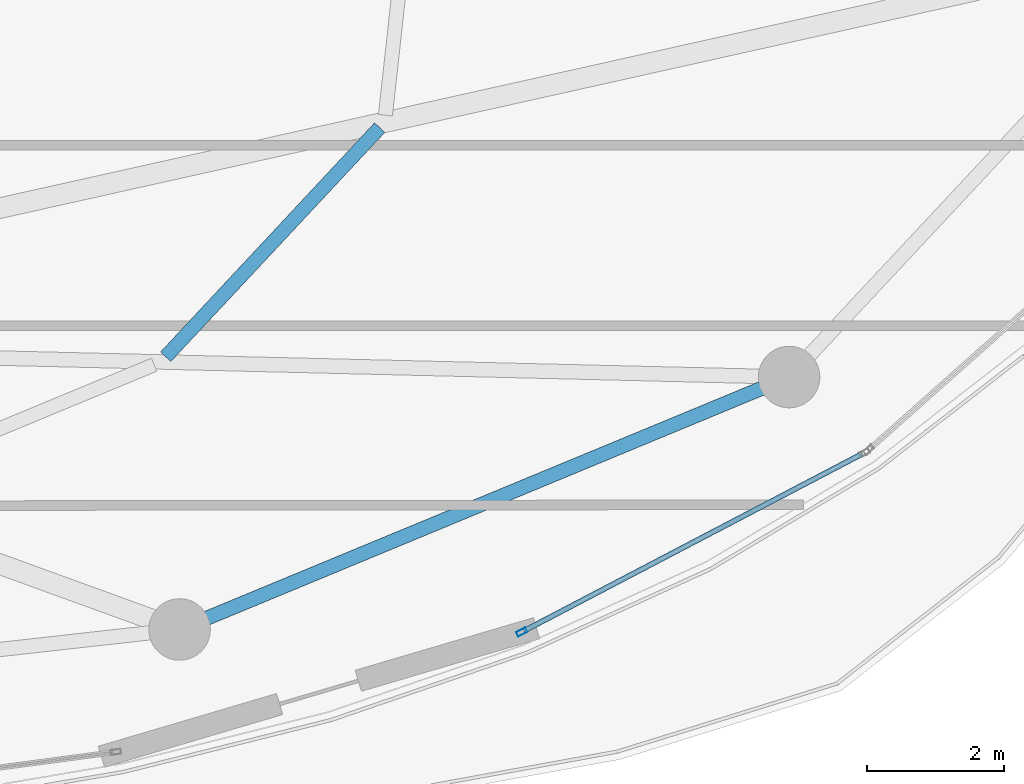
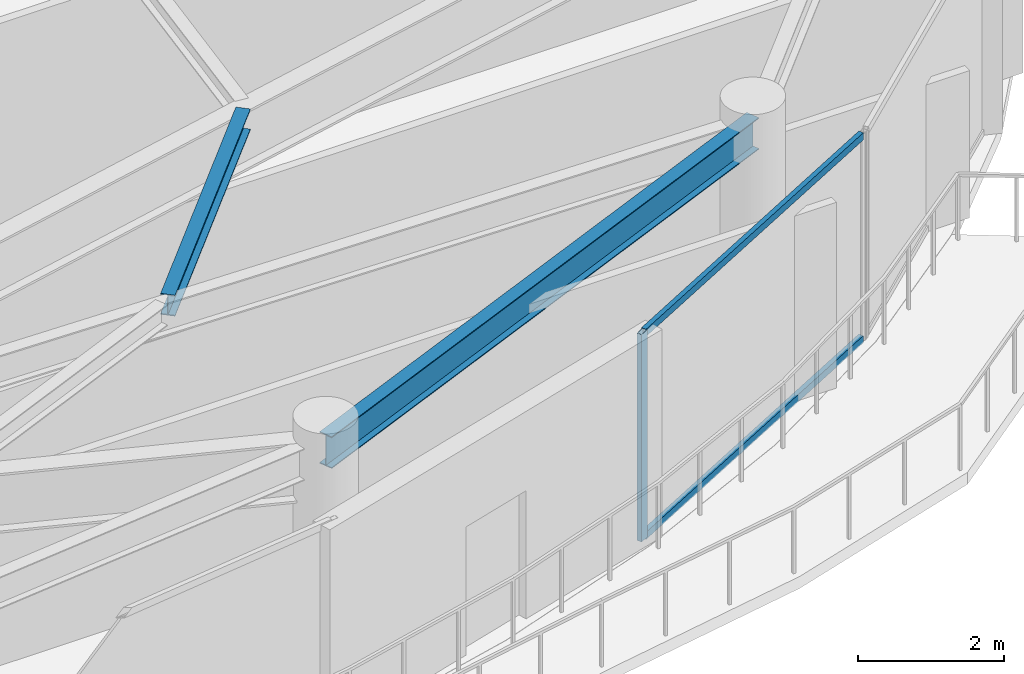
# One storey, part 13 of 29: 3 members, 2 beams, 1 element without a shape of its own.
"""IFC4 building model written with IfcOpenShell, lengths in metres."""

from ifc_helpers import new_model, si_unit, direction, frame, origin, origin_2d, place, context, subcontext, project, spatial, hollow_rectangle, i_section, extrude, material, layer, layer_set, material_profile, profile_set, type_object, element, aggregate, save


model = new_model("IFC4")

# Units and contexts
model_context = context("Model", 3, precision=1e-05, world=origin(), true_north=direction((0.0, 1.0)))
body_context = subcontext(model_context, "Body", "Model", "MODEL_VIEW")
ifc_project = project(units=[si_unit("LENGTHUNIT", "METRE"), si_unit("AREAUNIT", "SQUARE_METRE"), si_unit("VOLUMEUNIT", "CUBIC_METRE"), si_unit("PLANEANGLEUNIT", "RADIAN"), si_unit("MASSUNIT", "GRAM", prefix="KILO")], contexts=[model_context])

# Site, building, storey
site_placement = place(None, origin())
site = spatial("IfcSite", under=ifc_project, at=site_placement, CompositionType="ELEMENT")
building_placement = place(site_placement, origin())
building = spatial("IfcBuilding", under=site, at=building_placement, Name="Kazevale Care Tower and Concert Hall", CompositionType="ELEMENT")
storey_placement = place(building_placement, frame((0.0, 0.0, 289.0)))
storey = spatial("IfcBuildingStorey", under=building, at=storey_placement, Name="L76", CompositionType="ELEMENT", Elevation=289.0)

# Curtain wall, members
ifc_material_1 = material(Name="Aluminium 6063-T6 and Low-E Glass", Category="aluminium")
ifc_layer = layer(ifc_material_1, 0.179931640625)
ifc_layer_set = layer_set([ifc_layer], Name="Aluminium 6063-T6 and Low-E Glass")
curtain_wall_type = type_object("IfcCurtainWallType", Name="Sheltered Concave Balcony Curtain Wall CW-5", PredefinedType="NOTDEFINED", material=ifc_layer_set)
curtain_wall_placement = place(storey_placement, origin())
curtain_wall = element("IfcCurtainWall", 1, at=curtain_wall_placement, inside=storey, type_object=curtain_wall_type, Name="cw:L76:f03", PredefinedType="NOTDEFINED")
ifc_material_2 = material(Name="Aluminium 6063-T6", Category="aluminium")
ifc_material_profile_1 = material_profile(ifc_material_2, hollow_rectangle(XDim=0.074951171875, YDim=0.14990234375, WallThickness=0.00390625, at=origin_2d()), Name="ALU75x150x4")
ifc_profile_set_1 = profile_set([ifc_material_profile_1], Name="Aluminium 6063-T6")
member_type_1 = type_object("IfcMemberType", Name="CW-5 Mullion ALU75x150x4", PredefinedType="MULLION", material=ifc_profile_set_1)
member_1_placement = place(storey_placement, frame((60.502197265625, 19.38232421875, 0.0), z_axis=(0.0, 0.0, 1.0), x_axis=(0.463680915912, -0.886002261972, 0.0)))
member_1 = element("IfcMember", 2, at=member_1_placement, type_object=member_type_1, Name="CW-5 mullion 2", PredefinedType="MULLION", context=body_context, shape_type="SweptSolid", body=[
    extrude(hollow_rectangle(XDim=0.074951171875, YDim=0.14990234375, WallThickness=0.00390625, at=origin_2d()), origin(), (0.0, 0.0, 1.0), 3.47998046875),
])
ifc_material_profile_2 = material_profile(ifc_material_2, hollow_rectangle(XDim=0.074951171875, YDim=0.1201171875, WallThickness=0.00390625, at=origin_2d()), Name="ALU75x120x4")
ifc_profile_set_2 = profile_set([ifc_material_profile_2], Name="Aluminium 6063-T6")
member_type_2 = type_object("IfcMemberType", Name="CW-5 Transom ALU75x120x4", PredefinedType="USERDEFINED", material=ifc_profile_set_2)
member_2_placement = place(storey_placement, frame((65.4794921875, 21.9873046875, 0.03759765625), z_axis=(-0.885987336027, -0.463709435314, 0.0), x_axis=(0.463709435314, -0.885987336027, 0.0)))
member_2 = element("IfcMember", 3, at=member_2_placement, type_object=member_type_2, Name="CW-5 transom 1.1", ObjectType="TRANSOM", PredefinedType="USERDEFINED", context=body_context, shape_type="SweptSolid", body=[
    extrude(hollow_rectangle(XDim=0.074951171875, YDim=0.1201171875, WallThickness=0.00390625, at=origin_2d()), origin(), (0.0, 0.0, 1.0), 5.580322265625),
])
member_3_placement = place(storey_placement, frame((65.4794921875, 21.9873046875, 3.4423828125), z_axis=(-0.885987336027, -0.463709435314, 0.0), x_axis=(0.463709435314, -0.885987336027, 0.0)))
member_3 = element("IfcMember", 4, at=member_3_placement, type_object=member_type_2, Name="CW-5 transom 1.2", ObjectType="TRANSOM", PredefinedType="USERDEFINED", context=body_context, shape_type="SweptSolid", body=[
    extrude(hollow_rectangle(XDim=0.074951171875, YDim=0.1201171875, WallThickness=0.00390625, at=origin_2d()), origin(), (0.0, 0.0, 1.0), 5.580322265625),
])
aggregate(curtain_wall, [member_1, member_2, member_3])

# Beams
ifc_material_3 = material(Name="Steel ASTM A572 Gr 50", Category="steel")
ifc_material_profile_3 = material_profile(ifc_material_3, i_section(OverallWidth=0.205078125, OverallDepth=0.35400390625, WebThickness=0.009521484375, FlangeThickness=0.016845703125, at=origin_2d()), Name="W360x79")
ifc_profile_set_3 = profile_set([ifc_material_profile_3], Name="Steel ASTM A572 Gr 50")
beam_type_1 = type_object("IfcBeamType", Name="Secondary Floor Joist W360x79", PredefinedType="JOIST", material=ifc_profile_set_3)
beam_1_placement = place(storey_placement, frame((55.297119140625, 23.406982421875, 3.302978515625), z_axis=(0.682568692562, 0.730821441896, 0.0), x_axis=(-0.730821441896, 0.682568692562, 0.0)))
element("IfcBeam", 5, at=beam_1_placement, inside=storey, type_object=beam_type_1, Name="beam:L76:joist:15", PredefinedType="JOIST", context=body_context, shape_type="SweptSolid", body=[
    extrude(i_section(OverallWidth=0.205078125, OverallDepth=0.35400390625, WebThickness=0.009521484375, FlangeThickness=0.016845703125, at=origin_2d()), origin(), (0.0, 0.0, 1.0), 4.583984375),
])
ifc_material_profile_4 = material_profile(ifc_material_3, i_section(OverallWidth=0.208984375, OverallDepth=0.532958984375, WebThickness=0.01025390625, FlangeThickness=0.015625, at=origin_2d()), Name="W530x92")
ifc_profile_set_4 = profile_set([ifc_material_profile_4], Name="Steel ASTM A572 Gr 50")
beam_type_2 = type_object("IfcBeamType", Name="Upper Ring Beam W530x92", PredefinedType="BEAM", material=ifc_profile_set_4)
beam_2_placement = place(storey_placement, frame((55.5, 19.419921875, 3.21337890625), z_axis=(0.923894961945, 0.382646180293, 0.0), x_axis=(-0.382646180293, 0.923894961945, 0.0)))
element("IfcBeam", 6, at=beam_2_placement, inside=storey, type_object=beam_type_2, Name="beam:L76:ring:14", PredefinedType="BEAM", context=body_context, shape_type="SweptSolid", body=[
    extrude(i_section(OverallWidth=0.208984375, OverallDepth=0.532958984375, WebThickness=0.01025390625, FlangeThickness=0.015625, at=origin_2d()), origin(), (0.0, 0.0, 1.0), 9.643798828125),
])

save(model, "model.ifc")
